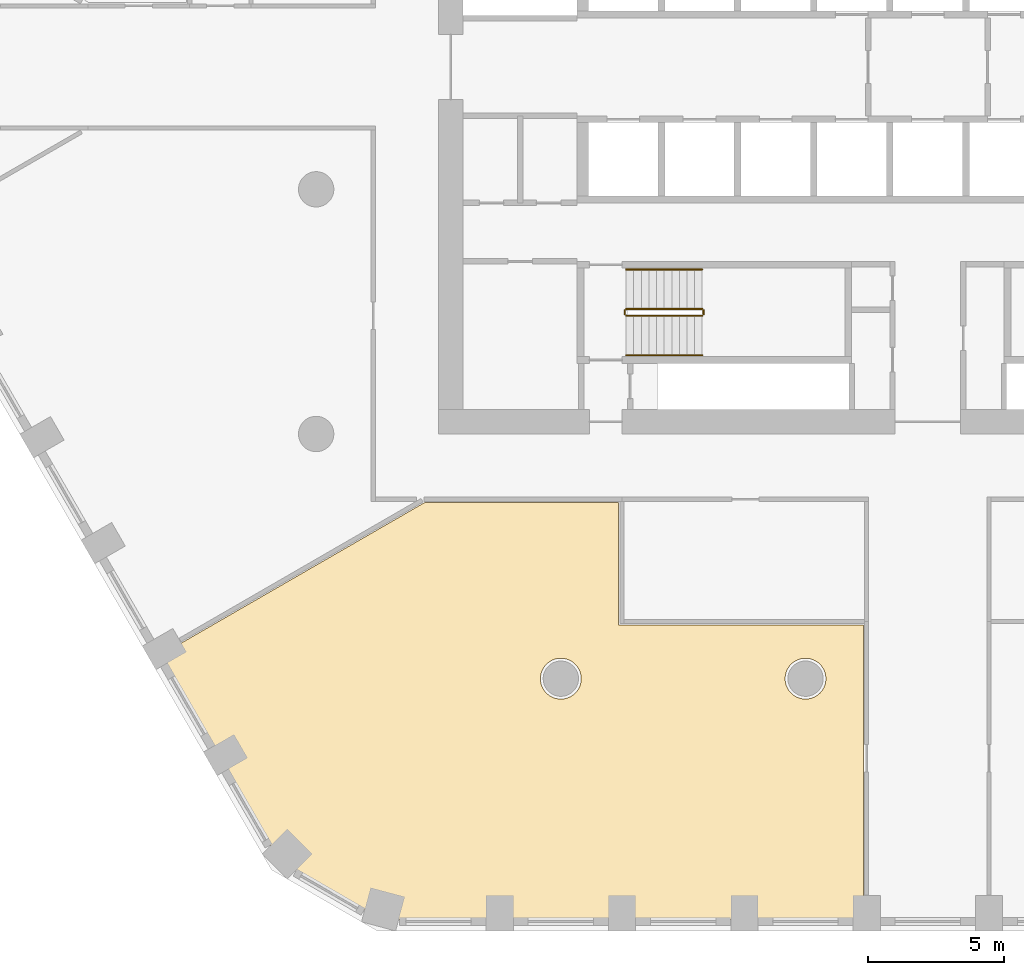
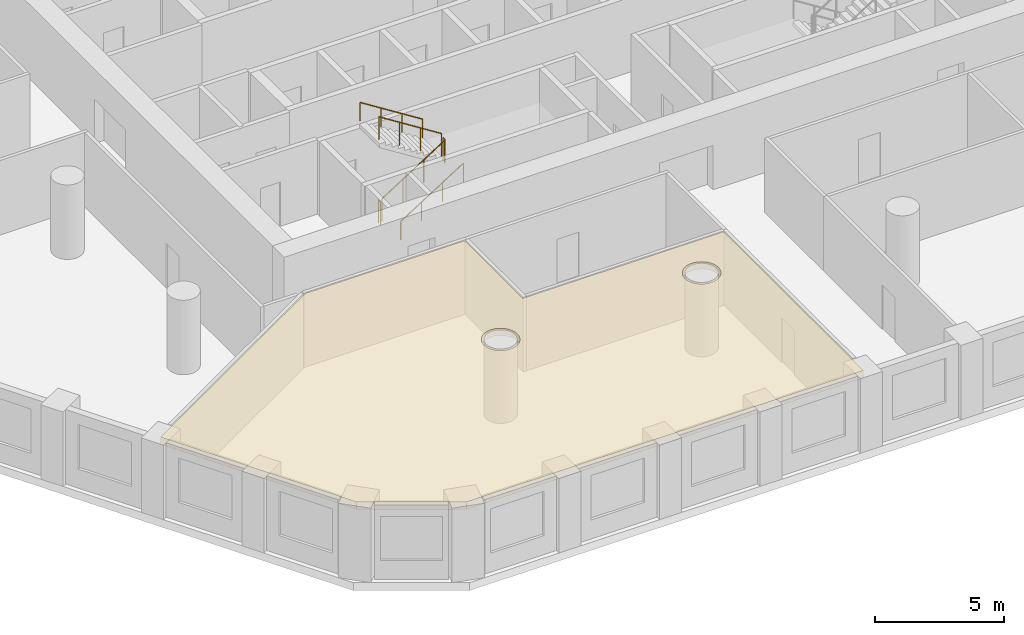
# One storey, part 10 of 14: 6 railings, 1 covering.
"""IFC4 building model written with IfcOpenShell, lengths in metres."""

from ifc_helpers import new_model, si_unit, direction, frame, origin, origin_2d, place, context, subcontext, project, spatial, polyline, circle, outline, extrude, material, layer, layer_set, type_object, element, save


model = new_model("IFC4")

# Units and contexts
model_context = context("Model", 3, precision=1e-05, world=origin(), true_north=direction((0.0, 1.0)))
body_context = subcontext(model_context, "Body", "Model", "MODEL_VIEW")
ifc_project = project(units=[si_unit("LENGTHUNIT", "METRE"), si_unit("AREAUNIT", "SQUARE_METRE"), si_unit("VOLUMEUNIT", "CUBIC_METRE"), si_unit("PLANEANGLEUNIT", "RADIAN"), si_unit("MASSUNIT", "GRAM", prefix="KILO")], contexts=[model_context])

# Site, building, storey
site_placement = place(None, origin())
site = spatial("IfcSite", under=ifc_project, at=site_placement, CompositionType="ELEMENT")
building_placement = place(site_placement, origin())
building = spatial("IfcBuilding", under=site, at=building_placement, Name="Dhurran Vertical Campus", CompositionType="ELEMENT")
storey_placement = place(building_placement, frame((0.0, 0.0, 96.89990234375)))
storey = spatial("IfcBuildingStorey", under=building, at=storey_placement, Name="L23", CompositionType="ELEMENT", Elevation=96.89990234375)

# Railings
ifc_material_1 = material(Name="Stainless steel balustrade", Category="steel")
railing_type_1 = type_object("IfcRailingType", Name="co-RL-GUARD-1100", PredefinedType="GUARDRAIL", material=ifc_material_1)
railing_1_placement = place(storey_placement, frame((-11.10009765625, -9.14990234375, 0.177490234375)))
element("IfcRailing", 1, at=railing_1_placement, inside=storey, type_object=railing_type_1, Name="L23 ST3 stair guard 1", PredefinedType="GUARDRAIL", context=body_context, shape_type="SweptSolid", body=[
    extrude(circle(Radius=0.02392578125, at=origin_2d()), frame((0.0, 0.0, 1.076171875), z_axis=(0.844908973607, 0.0, 0.534910110503), x_axis=(0.0, 1.0, 0.0)), (0.0, 0.0, 1.0), 3.31396484375),
    extrude(circle(Radius=0.02099609375, at=origin_2d()), origin(), (0.0, 0.0, 1.0), 1.052001953125),
    extrude(circle(Radius=0.02099609375, at=origin_2d()), frame((0.933349609375, 0.0, 0.5908203125)), (0.0, 0.0, 1.0), 1.052001953125),
    extrude(circle(Radius=0.02099609375, at=origin_2d()), frame((1.86669921875, 0.0, 1.181884765625)), (0.0, 0.0, 1.0), 1.052001953125),
    extrude(circle(Radius=0.02099609375, at=origin_2d()), frame((2.800048828125, 0.0, 1.772705078125)), (0.0, 0.0, 1.0), 1.052001953125),
])
railing_2_placement = place(storey_placement, frame((-8.25, -9.10009765625, 1.9501953125)))
element("IfcRailing", 2, at=railing_2_placement, inside=storey, type_object=railing_type_1, Name="L23 ST3 stair guard 2", PredefinedType="GUARDRAIL", context=body_context, shape_type="SweptSolid", body=[
    extrude(circle(Radius=0.02392578125, at=origin_2d()), frame((0.0, 0.0, 1.076171875), z_axis=(0.0, 1.0, 0.0), x_axis=(-1.0, 0.0, 0.0)), (0.0, 0.0, 1.0), 0.150146484375),
    extrude(circle(Radius=0.02099609375, at=origin_2d()), origin(), (0.0, 0.0, 1.0), 1.052001953125),
    extrude(circle(Radius=0.02099609375, at=origin_2d()), frame((0.0, 0.150146484375, 0.0)), (0.0, 0.0, 1.0), 1.052001953125),
])
railing_3_placement = place(storey_placement, frame((-8.300048828125, -8.89990234375, 2.12744140625)))
element("IfcRailing", 3, at=railing_3_placement, inside=storey, type_object=railing_type_1, Name="L23 ST3 stair guard 3", PredefinedType="GUARDRAIL", context=body_context, shape_type="SweptSolid", body=[
    extrude(circle(Radius=0.02392578125, at=origin_2d()), frame((0.0, 0.0, 1.076171875), z_axis=(-0.844908973607, 0.0, 0.534910110503), x_axis=(0.0, -1.0, 0.0)), (0.0, 0.0, 1.0), 3.31396484375),
    extrude(circle(Radius=0.02099609375, at=origin_2d()), origin(), (0.0, 0.0, 1.0), 1.052001953125),
    extrude(circle(Radius=0.02099609375, at=origin_2d()), frame((-0.933349609375, 0.0, 0.5908203125)), (0.0, 0.0, 1.0), 1.052001953125),
    extrude(circle(Radius=0.02099609375, at=origin_2d()), frame((-1.86669921875, 0.0, 1.181884765625)), (0.0, 0.0, 1.0), 1.052001953125),
    extrude(circle(Radius=0.02099609375, at=origin_2d()), frame((-2.800048828125, 0.0, 1.772705078125)), (0.0, 0.0, 1.0), 1.052001953125),
])
railing_4_placement = place(storey_placement, frame((-11.14990234375, -9.10009765625, 0.0)))
element("IfcRailing", 4, at=railing_4_placement, inside=storey, type_object=railing_type_1, Name="L23 ST3 stair guard 4", PredefinedType="GUARDRAIL", context=body_context, shape_type="SweptSolid", body=[
    extrude(circle(Radius=0.02392578125, at=origin_2d()), frame((0.0, 0.0, 1.076171875), z_axis=(0.0, 1.0, 0.0), x_axis=(-1.0, 0.0, 0.0)), (0.0, 0.0, 1.0), 0.150146484375),
    extrude(circle(Radius=0.02099609375, at=origin_2d()), origin(), (0.0, 0.0, 1.0), 1.052001953125),
    extrude(circle(Radius=0.02099609375, at=origin_2d()), frame((0.0, 0.150146484375, 0.0)), (0.0, 0.0, 1.0), 1.052001953125),
])
ifc_material_2 = material(Name="Stainless steel handrail", Category="steel")
railing_type_2 = type_object("IfcRailingType", Name="co-RL-HANDRAIL-900", PredefinedType="HANDRAIL", material=ifc_material_2)
railing_5_placement = place(storey_placement, frame((-11.10009765625, -10.60009765625, 0.177490234375)))
element("IfcRailing", 5, at=railing_5_placement, inside=storey, type_object=railing_type_2, Name="L23 ST3 stair handrail 1", PredefinedType="HANDRAIL", context=body_context, shape_type="SweptSolid", body=[
    extrude(circle(Radius=0.02392578125, at=origin_2d()), frame((0.0, 0.0, 0.8759765625), z_axis=(0.844908973607, 0.0, 0.534910110503), x_axis=(0.0, 1.0, 0.0)), (0.0, 0.0, 1.0), 3.31396484375),
    extrude(circle(Radius=0.02099609375, at=origin_2d()), origin(), (0.0, 0.0, 1.0), 0.851806640625),
    extrude(circle(Radius=0.02099609375, at=origin_2d()), frame((0.933349609375, 0.0, 0.5908203125)), (0.0, 0.0, 1.0), 0.851806640625),
    extrude(circle(Radius=0.02099609375, at=origin_2d()), frame((1.86669921875, 0.0, 1.181884765625)), (0.0, 0.0, 1.0), 0.851806640625),
    extrude(circle(Radius=0.02099609375, at=origin_2d()), frame((2.800048828125, 0.0, 1.772705078125)), (0.0, 0.0, 1.0), 0.851806640625),
])
railing_6_placement = place(storey_placement, frame((-8.300048828125, -7.449951171875, 2.12744140625)))
element("IfcRailing", 6, at=railing_6_placement, inside=storey, type_object=railing_type_2, Name="L23 ST3 stair handrail 2", PredefinedType="HANDRAIL", context=body_context, shape_type="SweptSolid", body=[
    extrude(circle(Radius=0.02392578125, at=origin_2d()), frame((0.0, 0.0, 0.8759765625), z_axis=(-0.844908973607, 0.0, 0.534910110503), x_axis=(0.0, -1.0, 0.0)), (0.0, 0.0, 1.0), 3.31396484375),
    extrude(circle(Radius=0.02099609375, at=origin_2d()), origin(), (0.0, 0.0, 1.0), 0.851806640625),
    extrude(circle(Radius=0.02099609375, at=origin_2d()), frame((-0.933349609375, 0.0, 0.5908203125)), (0.0, 0.0, 1.0), 0.851806640625),
    extrude(circle(Radius=0.02099609375, at=origin_2d()), frame((-1.86669921875, 0.0, 1.181884765625)), (0.0, 0.0, 1.0), 0.851806640625),
    extrude(circle(Radius=0.02099609375, at=origin_2d()), frame((-2.800048828125, 0.0, 1.772705078125)), (0.0, 0.0, 1.0), 0.851806640625),
])

# Covering
ifc_material_3 = material(Name="Mineral fibre ceiling tiles on suspended grid")
ifc_layer = layer(ifc_material_3, 0.35009765625)
ifc_layer_set = layer_set([ifc_layer], Name="Mineral fibre ceiling tiles on suspended grid")
covering_type = type_object("IfcCoveringType", Name="fl-CE-350 suspended ceiling", PredefinedType="CEILING", material=ifc_layer_set)
covering_placement = place(storey_placement, frame((0.0, 0.0, 3.175048828125)))
element("IfcCovering", 7, at=covering_placement, inside=storey, type_object=covering_type, Name="Ceiling 23-10", PredefinedType="CEILING", context=body_context, shape_type="SweptSolid", body=[
    extrude(outline(polyline([(-2.3701171875, -20.52001953125), (-2.3701171875, -31.360107421875), (-20.137939453125, -31.360107421875), (-23.839111328125, -29.221923828125), (-28.222900390625, -21.6298828125), (-18.508056640625, -16.02001953125), (-11.3701171875, -16.02001953125), (-11.3701171875, -20.52001953125), (-2.3701171875, -20.52001953125)]), holes=[polyline([(-13.212890625, -21.806884765625), (-13.281982421875, -21.781982421875), (-13.35400390625, -21.763916015625), (-13.426025390625, -21.75390625), (-13.5, -21.75), (-13.573974609375, -21.75390625), (-13.64599609375, -21.763916015625), (-13.718017578125, -21.781982421875), (-13.787109375, -21.806884765625), (-13.85400390625, -21.839111328125), (-13.9169921875, -21.8759765625), (-13.97607421875, -21.919921875), (-14.030029296875, -21.969970703125), (-14.080078125, -22.02392578125), (-14.1240234375, -22.0830078125), (-14.160888671875, -22.14599609375), (-14.193115234375, -22.212890625), (-14.218017578125, -22.281982421875), (-14.236083984375, -22.35400390625), (-14.24609375, -22.426025390625), (-14.25, -22.5), (-14.24609375, -22.573974609375), (-14.236083984375, -22.64599609375), (-14.218017578125, -22.718017578125), (-14.193115234375, -22.787109375), (-14.160888671875, -22.85400390625), (-14.1240234375, -22.9169921875), (-14.080078125, -22.97607421875), (-14.030029296875, -23.030029296875), (-13.97607421875, -23.080078125), (-13.9169921875, -23.1240234375), (-13.85400390625, -23.160888671875), (-13.787109375, -23.193115234375), (-13.718017578125, -23.218017578125), (-13.64599609375, -23.236083984375), (-13.573974609375, -23.24609375), (-13.5, -23.25), (-13.426025390625, -23.24609375), (-13.35400390625, -23.236083984375), (-13.281982421875, -23.218017578125), (-13.212890625, -23.193115234375), (-13.14599609375, -23.160888671875), (-13.0830078125, -23.1240234375), (-13.02392578125, -23.080078125), (-12.969970703125, -23.030029296875), (-12.919921875, -22.97607421875), (-12.8759765625, -22.9169921875), (-12.839111328125, -22.85400390625), (-12.806884765625, -22.787109375), (-12.781982421875, -22.718017578125), (-12.763916015625, -22.64599609375), (-12.75390625, -22.573974609375), (-12.75, -22.5), (-12.75390625, -22.426025390625), (-12.763916015625, -22.35400390625), (-12.781982421875, -22.281982421875), (-12.806884765625, -22.212890625), (-12.839111328125, -22.14599609375), (-12.8759765625, -22.0830078125), (-12.919921875, -22.02392578125), (-12.969970703125, -21.969970703125), (-13.02392578125, -21.919921875), (-13.0830078125, -21.8759765625), (-13.14599609375, -21.839111328125), (-13.212890625, -21.806884765625)]), polyline([(-4.0830078125, -21.8759765625), (-4.14599609375, -21.839111328125), (-4.212890625, -21.806884765625), (-4.281982421875, -21.781982421875), (-4.35400390625, -21.763916015625), (-4.426025390625, -21.75390625), (-4.5, -21.75), (-4.573974609375, -21.75390625), (-4.64599609375, -21.763916015625), (-4.718017578125, -21.781982421875), (-4.787109375, -21.806884765625), (-4.85400390625, -21.839111328125), (-4.9169921875, -21.8759765625), (-4.97607421875, -21.919921875), (-5.030029296875, -21.969970703125), (-5.080078125, -22.02392578125), (-5.1240234375, -22.0830078125), (-5.160888671875, -22.14599609375), (-5.193115234375, -22.212890625), (-5.218017578125, -22.281982421875), (-5.236083984375, -22.35400390625), (-5.24609375, -22.426025390625), (-5.25, -22.5), (-5.24609375, -22.573974609375), (-5.236083984375, -22.64599609375), (-5.218017578125, -22.718017578125), (-5.193115234375, -22.787109375), (-5.160888671875, -22.85400390625), (-5.1240234375, -22.9169921875), (-5.080078125, -22.97607421875), (-5.030029296875, -23.030029296875), (-4.97607421875, -23.080078125), (-4.9169921875, -23.1240234375), (-4.85400390625, -23.160888671875), (-4.787109375, -23.193115234375), (-4.718017578125, -23.218017578125), (-4.64599609375, -23.236083984375), (-4.573974609375, -23.24609375), (-4.5, -23.25), (-4.426025390625, -23.24609375), (-4.35400390625, -23.236083984375), (-4.281982421875, -23.218017578125), (-4.212890625, -23.193115234375), (-4.14599609375, -23.160888671875), (-4.0830078125, -23.1240234375), (-4.02392578125, -23.080078125), (-3.969970703125, -23.030029296875), (-3.919921875, -22.97607421875), (-3.8759765625, -22.9169921875), (-3.839111328125, -22.85400390625), (-3.806884765625, -22.787109375), (-3.781982421875, -22.718017578125), (-3.763916015625, -22.64599609375), (-3.75390625, -22.573974609375), (-3.75, -22.5), (-3.75390625, -22.426025390625), (-3.763916015625, -22.35400390625), (-3.781982421875, -22.281982421875), (-3.806884765625, -22.212890625), (-3.839111328125, -22.14599609375), (-3.8759765625, -22.0830078125), (-3.919921875, -22.02392578125), (-3.969970703125, -21.969970703125), (-4.02392578125, -21.919921875), (-4.0830078125, -21.8759765625)])]), origin(), (0.0, 0.0, 1.0), 0.35009765625),
])

save(model, "model.ifc")
